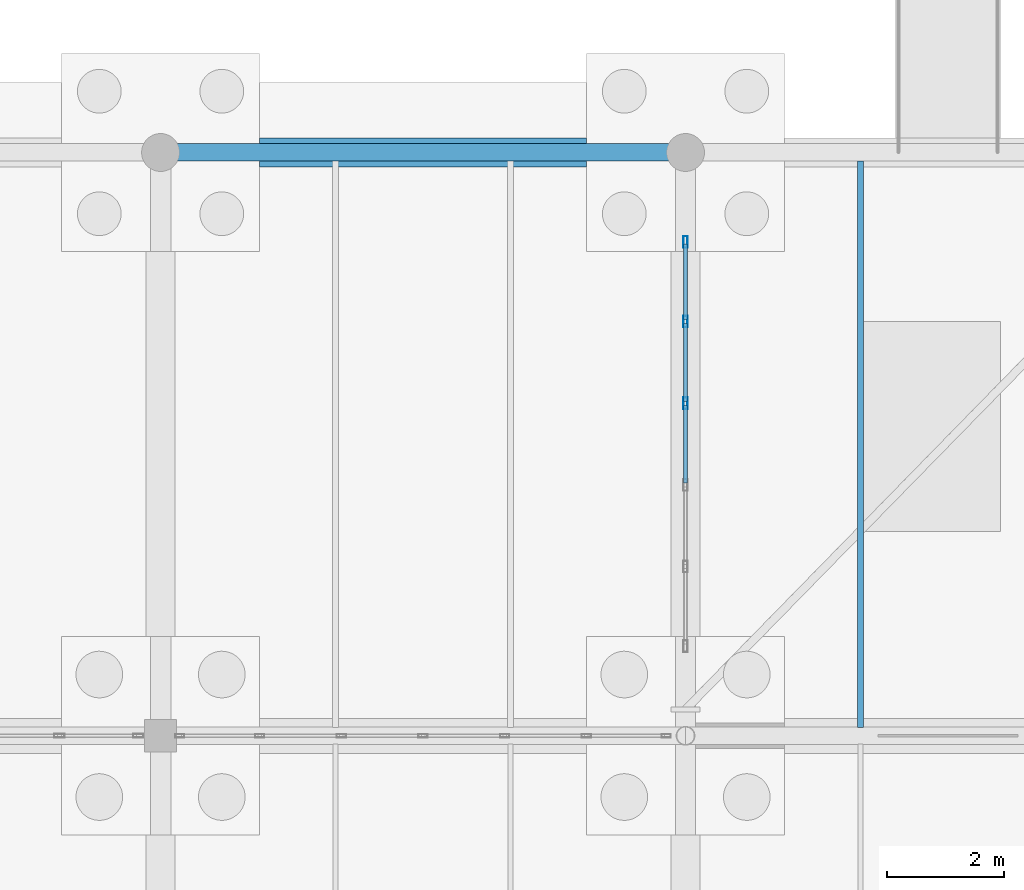
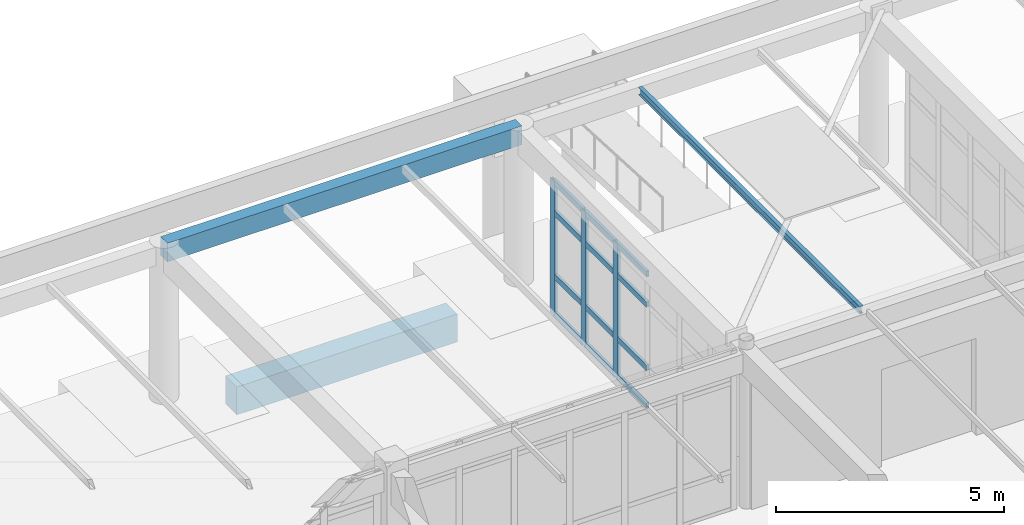
# One storey, part 77 of 186: 15 members, 3 beams, 1 element without a shape of its own.
"""IFC4 building model written with IfcOpenShell, lengths in metres."""

import ifcopenshell
import ifcopenshell.guid

model = None  # the IFC model being written
_history = None  # IfcOwnerHistory: only IFC2X3 demands one
_inside = {}  # id of a spatial element -> (the spatial element, [elements in it])
_under = {}  # id of a project, library or spatial element -> (it, [spatial elements below it])
_declared = {}  # id of a project -> (the project, [libraries it declares])
_typed = {}  # id of a type object -> (the type object, [elements of that type])
_made_of = {}  # id of a material, layer set ... -> (it, [elements and type objects made of it])


def new_model(schema):
    """Start an empty IFC model of exactly this schema.

    Asked for "IFC4X3", IfcOpenShell would pick the latest addendum, in which some entities
    have other attributes; the version numbers below select the first issue.
    IFC2X3 requires an IfcOwnerHistory on every rooted entity: one is made here for all.
    """
    global model, _history
    if schema == "IFC4X3":
        model = ifcopenshell.file(schema_version=(4, 3, 0, 0))
    else:
        model = ifcopenshell.file(schema=schema)
    _inside.clear()
    _under.clear()
    _declared.clear()
    _typed.clear()
    _made_of.clear()
    _history = None
    if model.schema == "IFC2X3":
        org = make("IfcOrganization", Name="unknown")
        user = make(
            "IfcPersonAndOrganization",
            ThePerson=make("IfcPerson", FamilyName="unknown"),
            TheOrganization=org,
        )
        app = make(
            "IfcApplication",
            ApplicationDeveloper=org,
            Version="unknown",
            ApplicationFullName="unknown",
            ApplicationIdentifier="unknown",
        )
        _history = make(
            "IfcOwnerHistory",
            OwningUser=user,
            OwningApplication=app,
            ChangeAction="ADDED",
            CreationDate=0,
        )
    return model


def make(cls, **values):
    """One entity of the class cls with the attributes given. An attribute that is None is left unset."""
    return model.create_entity(
        cls, **{name: value for name, value in values.items() if value is not None}
    )


def rooted(cls, **values):
    """An entity with a GlobalId (a new one), such as an element, a storey or a relation."""
    return make(cls, GlobalId=ifcopenshell.guid.new(), OwnerHistory=_history, **values)


def si_unit(unit_type, name, prefix=None):
    """IfcSIUnit, for example si_unit("LENGTHUNIT", "METRE", prefix="MILLI")."""
    return make("IfcSIUnit", UnitType=unit_type, Prefix=prefix, Name=name)


def assignment(units):
    """IfcUnitAssignment: the units of a project."""
    return None if units is None else make("IfcUnitAssignment", Units=units)


def point(xyz):
    """IfcCartesianPoint."""
    return None if xyz is None else make("IfcCartesianPoint", Coordinates=xyz)


def direction(xyz):
    """IfcDirection."""
    return None if xyz is None else make("IfcDirection", DirectionRatios=xyz)


def frame(location, z_axis=None, x_axis=None):
    """IfcAxis2Placement3D, a coordinate frame: its origin and axes. An axis left out is left unset."""
    return make(
        "IfcAxis2Placement3D",
        Location=point(location),
        Axis=direction(z_axis),
        RefDirection=direction(x_axis),
    )


def frame_2d(location, x_axis=None):
    """IfcAxis2Placement2D, a coordinate frame in the plane: its origin and x axis."""
    return make(
        "IfcAxis2Placement2D", Location=point(location), RefDirection=direction(x_axis)
    )


def origin():
    """The frame at (0, 0, 0) with its axes left unset."""
    return frame((0.0, 0.0, 0.0))


def origin_2d():
    """The frame at (0, 0) in the plane with its x axis left unset."""
    return frame_2d((0.0, 0.0))


def place(relative_to, where):
    """IfcLocalPlacement: puts the frame where relative to a parent placement (None: the world)."""
    return make(
        "IfcLocalPlacement", PlacementRelTo=relative_to, RelativePlacement=where
    )


def context(
    kind, dimensions, precision=None, world=None, true_north=None, identifier=None
):
    """IfcGeometricRepresentationContext, for example the 3D "Model" context."""
    return make(
        "IfcGeometricRepresentationContext",
        ContextIdentifier=identifier,
        ContextType=kind,
        CoordinateSpaceDimension=dimensions,
        Precision=precision,
        WorldCoordinateSystem=world,
        TrueNorth=true_north,
    )


def subcontext(parent, identifier, kind, view, scale=None):
    """IfcGeometricRepresentationSubContext, for example "Body" below "Model"."""
    return make(
        "IfcGeometricRepresentationSubContext",
        ContextIdentifier=identifier,
        ContextType=kind,
        ParentContext=parent,
        TargetScale=scale,
        TargetView=view,
    )


def project(units=None, contexts=None):
    """IfcProject with its units and contexts."""
    return rooted(
        "IfcProject",
        Name="project",
        RepresentationContexts=contexts,
        UnitsInContext=assignment(units),
    )


def spatial(cls, under=None, at=None, **own):
    """A site, building, storey or space (cls), placed at a placement, below another one or the project."""
    s = rooted(cls, ObjectPlacement=at, **own)
    if under is not None:
        _under.setdefault(under.id(), (under, []))[1].append(s)
    return s


def profile(cls, at=None, kind="AREA", **sizes):
    """A parametric profile (cls). Its sizes go by their IFC names, for example OverallWidth=200.0."""
    return make(cls, ProfileType=kind, Position=at, **sizes)


def rectangle(**sizes):
    """IfcRectangleProfileDef."""
    return profile("IfcRectangleProfileDef", **sizes)


def hollow_rectangle(**sizes):
    """IfcRectangleHollowProfileDef."""
    return profile("IfcRectangleHollowProfileDef", **sizes)


def i_section(**sizes):
    """IfcIShapeProfileDef."""
    return profile("IfcIShapeProfileDef", **sizes)


def extrude(swept, where, along, depth):
    """IfcExtrudedAreaSolid: the profile swept, set in the frame where, extruded along a direction by depth."""
    return make(
        "IfcExtrudedAreaSolid",
        SweptArea=swept,
        Position=where,
        ExtrudedDirection=direction(along),
        Depth=depth,
    )


def shape(context_of_items, identifier, shape_type, items):
    """IfcShapeRepresentation: the items that make up one representation, for example the "Body"."""
    return make(
        "IfcShapeRepresentation",
        ContextOfItems=context_of_items,
        RepresentationIdentifier=identifier,
        RepresentationType=shape_type,
        Items=items,
    )


def material(Name=None, Category=None):
    """IfcMaterial."""
    return make("IfcMaterial", Name=Name, Category=Category)


def layer(
    of_material, thickness, ventilated=None, Name=None, Category=None, Priority=None
):
    """IfcMaterialLayer: one layer of a wall or slab, of a material (None: an air gap)."""
    return make(
        "IfcMaterialLayer",
        Material=of_material,
        LayerThickness=thickness,
        IsVentilated=ventilated,
        Name=Name,
        Category=Category,
        Priority=Priority,
    )


def layer_set(layers, Name=None):
    """IfcMaterialLayerSet."""
    return make("IfcMaterialLayerSet", MaterialLayers=layers, LayerSetName=Name)


def material_profile(
    of_material, cross_section, Name=None, Category=None, Priority=None
):
    """IfcMaterialProfile: a cross section and its material."""
    return make(
        "IfcMaterialProfile",
        Name=Name,
        Material=of_material,
        Profile=cross_section,
        Priority=Priority,
        Category=Category,
    )


def profile_set(profiles, Name=None, composite=None):
    """IfcMaterialProfileSet."""
    return make(
        "IfcMaterialProfileSet",
        Name=Name,
        MaterialProfiles=profiles,
        CompositeProfile=composite,
    )


def made_of(thing, what):
    """Note that an element or type object is made of a material, layer set ...; save() writes the relation."""
    if what is not None:
        _made_of.setdefault(what.id(), (what, []))[1].append(thing)
    return thing


def type_object(cls, material=None, **own):
    """A type object (cls), such as IfcWallType, which elements share."""
    return made_of(rooted(cls, **own), material)


def element(
    cls,
    number,
    at=None,
    inside=None,
    cuts=None,
    type_object=None,
    material=None,
    context=None,
    identifier="Body",
    shape_type=None,
    held_by="IfcProductDefinitionShape",
    body=None,
    shapes=None,
    **own,
):
    """One element of the class cls, such as IfcWall. Its Tag is "e" and its number.

    at: its placement. inside: the storey or other place that contains it. cuts: it is an
    opening in that element (IfcRelVoidsElement). A single representation is given by context,
    identifier, shape_type and body (its items); several are given by shapes. held_by: the class
    of the entity that holds the representations. save() writes the other relations.
    """
    e = rooted(cls, Tag="e%d" % number, ObjectPlacement=at, **own)
    if body is not None:
        shapes = [shape(context, identifier, shape_type, body)]
    if shapes is not None:
        e.Representation = make(held_by, Representations=shapes)
    if inside is not None:
        _inside.setdefault(inside.id(), (inside, []))[1].append(e)
    if cuts is not None:
        rooted(
            "IfcRelVoidsElement", RelatingBuildingElement=cuts, RelatedOpeningElement=e
        )
    if type_object is not None:
        _typed.setdefault(type_object.id(), (type_object, []))[1].append(e)
    return made_of(e, material)


def aggregate(whole, parts):
    """IfcRelAggregates: a whole, such as a stair, and the parts it consists of."""
    return rooted("IfcRelAggregates", RelatingObject=whole, RelatedObjects=parts)


def save(model, path):
    """Write the relations noted so far, then the file.

    IfcRelAggregates (storeys below a building ...), IfcRelContainedInSpatialStructure (elements
    in a storey), IfcRelDefinesByType, IfcRelAssociatesMaterial and IfcRelDeclares: one each for
    every whole, place, type object, material and project.
    """
    for whole, parts in _under.values():
        aggregate(whole, parts)
    for where, things in _inside.values():
        rooted(
            "IfcRelContainedInSpatialStructure",
            RelatedElements=things,
            RelatingStructure=where,
        )
    for kind, things in _typed.values():
        rooted("IfcRelDefinesByType", RelatedObjects=things, RelatingType=kind)
    for what, things in _made_of.values():
        rooted("IfcRelAssociatesMaterial", RelatedObjects=things, RelatingMaterial=what)
    for by, libraries in _declared.values():
        rooted("IfcRelDeclares", RelatingContext=by, RelatedDefinitions=libraries)
    model.write(path)


model = new_model("IFC4")

# Units and contexts
model_context = context("Model", 3, precision=1e-05, world=origin(), true_north=direction((0.0, 1.0)))
body_context = subcontext(model_context, "Body", "Model", "MODEL_VIEW")
ifc_project = project(units=[si_unit("LENGTHUNIT", "METRE"), si_unit("AREAUNIT", "SQUARE_METRE"), si_unit("VOLUMEUNIT", "CUBIC_METRE"), si_unit("PLANEANGLEUNIT", "RADIAN"), si_unit("MASSUNIT", "GRAM", prefix="KILO")], contexts=[model_context])

# Site, building, storey
site_placement = place(None, origin())
site = spatial("IfcSite", under=ifc_project, at=site_placement, CompositionType="ELEMENT")
building_placement = place(site_placement, origin())
building = spatial("IfcBuilding", under=site, at=building_placement, Name="Ornek Quay Market", CompositionType="ELEMENT")
storey_placement = place(building_placement, origin())
storey = spatial("IfcBuildingStorey", under=building, at=storey_placement, Name="L00", CompositionType="ELEMENT", Elevation=0.0)

# Beams
ifc_material_1 = material(Name="Concrete C35/45", Category="concrete")
ifc_material_profile_1 = material_profile(ifc_material_1, rectangle(XDim=0.5, YDim=0.75, at=origin_2d()), Name="RC 500x750", Category="concrete")
ifc_profile_set_1 = profile_set([ifc_material_profile_1], Name="Concrete C35/45")
beam_type_1 = type_object("IfcBeamType", Name="BM-GB-500x750", PredefinedType="BEAM", material=ifc_profile_set_1)
beam_1_placement = place(storey_placement, frame((28.699951171875, 120.0, -0.574951171875), z_axis=(1.0, 0.0, 0.0), x_axis=(0.0, 1.0, 0.0)))
element("IfcBeam", 1, at=beam_1_placement, inside=storey, type_object=beam_type_1, Name="Ground tie beam GB-051", PredefinedType="BEAM", context=body_context, shape_type="SweptSolid", body=[
    extrude(rectangle(XDim=0.5, YDim=0.75, at=origin_2d()), origin(), (0.0, 0.0, 1.0), 5.60009765625),
])
ifc_material_2 = material(Name="Steel S355", Category="steel")
ifc_material_profile_2 = material_profile(ifc_material_2, i_section(OverallWidth=0.10009765625, OverallDepth=0.199951171875, WebThickness=0.005615234375, FlangeThickness=0.008544921875, FilletRadius=0.011962890625, at=origin_2d()), Name="IPE 200", Category="steel")
ifc_profile_set_2 = profile_set([ifc_material_profile_2], Name="Steel S355")
beam_type_2 = type_object("IfcBeamType", Name="BM-STL-IPE200", PredefinedType="JOIST", material=ifc_profile_set_2)
beam_2_placement = place(storey_placement, frame((39.0, 110.14208984375, 4.090087890625), z_axis=(0.0, 1.0, 0.0), x_axis=(-1.0, 0.0, 0.0)))
element("IfcBeam", 2, at=beam_2_placement, inside=storey, type_object=beam_type_2, Name="Secondary joist SB-02-003", PredefinedType="JOIST", context=body_context, shape_type="SweptSolid", body=[
    extrude(i_section(OverallWidth=0.10009765625, OverallDepth=0.199951171875, WebThickness=0.005615234375, FlangeThickness=0.008544921875, FilletRadius=0.011962890625, at=origin_2d()), origin(), (0.0, 0.0, 1.0), 9.7158203125),
])
ifc_material_3 = material(Name="Concrete C40/50", Category="concrete")
ifc_material_profile_3 = material_profile(ifc_material_3, rectangle(XDim=0.300048828125, YDim=0.5, at=origin_2d()), Name="RC 300x500", Category="concrete")
ifc_profile_set_3 = profile_set([ifc_material_profile_3], Name="Concrete C40/50")
beam_type_3 = type_object("IfcBeamType", Name="BM-UMB-RIM-300x500", PredefinedType="SPANDREL", material=ifc_profile_set_3)
beam_3_placement = place(storey_placement, frame((27.0, 120.0, 3.93994140625), z_axis=(1.0, 0.0, 0.0), x_axis=(0.0, 1.0, 0.0)))
element("IfcBeam", 3, at=beam_3_placement, inside=storey, type_object=beam_type_3, Name="Primary beam B-UMR-010", PredefinedType="SPANDREL", context=body_context, shape_type="SweptSolid", body=[
    extrude(rectangle(XDim=0.300048828125, YDim=0.5, at=origin_2d()), origin(), (0.0, 0.0, 1.0), 9.0),
])

# Curtain wall, members
ifc_material_4 = material(Name="Anodised bronze aluminium and triple low-e glass", Category="aluminium")
ifc_layer = layer(ifc_material_4, 0.219970703125, Name="Anodised bronze aluminium and triple low-e glass", Category="aluminium")
ifc_layer_set = layer_set([ifc_layer], Name="Anodised bronze aluminium and triple low-e glass")
curtain_wall_type = type_object("IfcCurtainWallType", Name="CW-PORCH-MOD1500", PredefinedType="USERDEFINED", material=ifc_layer_set)
curtain_wall_placement = place(storey_placement, origin())
curtain_wall = element("IfcCurtainWall", 4, at=curtain_wall_placement, inside=storey, type_object=curtain_wall_type, Name="Curtain wall CW-149", ObjectType="CURTAIN WALL", PredefinedType="USERDEFINED")
ifc_material_5 = material(Name="Anodised aluminium 6063-T6", Category="aluminium")
ifc_material_profile_4 = material_profile(ifc_material_5, hollow_rectangle(XDim=0.070068359375, YDim=0.199951171875, WallThickness=0.0048828125, at=origin_2d()), Name="CW-MUL-70x200", Category="aluminium")
ifc_profile_set_4 = profile_set([ifc_material_profile_4], Name="Anodised aluminium 6063-T6")
member_type_1 = type_object("IfcMemberType", Name="CW-MUL-70x200", PredefinedType="MULLION", material=ifc_profile_set_4)
member_1_placement = place(storey_placement, frame((36.0, 115.699951171875, 0.0), z_axis=(0.0, 0.0, 1.0), x_axis=(-1.0, 0.0, 0.0)))
member_1 = element("IfcMember", 5, at=member_1_placement, type_object=member_type_1, Name="CW-149 mullion 4", PredefinedType="MULLION", context=body_context, shape_type="SweptSolid", body=[
    extrude(hollow_rectangle(XDim=0.070068359375, YDim=0.199951171875, WallThickness=0.0048828125, at=origin_2d()), origin(), (0.0, 0.0, 1.0), 3.60009765625),
])
member_2_placement = place(storey_placement, frame((36.0, 117.10009765625, 0.0), z_axis=(0.0, 0.0, 1.0), x_axis=(-1.0, 0.0, 0.0)))
member_2 = element("IfcMember", 6, at=member_2_placement, type_object=member_type_1, Name="CW-149 mullion 5", PredefinedType="MULLION", context=body_context, shape_type="SweptSolid", body=[
    extrude(hollow_rectangle(XDim=0.070068359375, YDim=0.199951171875, WallThickness=0.0048828125, at=origin_2d()), origin(), (0.0, 0.0, 1.0), 3.60009765625),
])
member_3_placement = place(storey_placement, frame((36.0, 118.465087890625, 0.0), z_axis=(0.0, 0.0, 1.0), x_axis=(-1.0, 0.0, 0.0)))
member_3 = element("IfcMember", 7, at=member_3_placement, type_object=member_type_1, Name="CW-149 mullion 6", PredefinedType="MULLION", context=body_context, shape_type="SweptSolid", body=[
    extrude(hollow_rectangle(XDim=0.070068359375, YDim=0.199951171875, WallThickness=0.0048828125, at=origin_2d()), origin(), (0.0, 0.0, 1.0), 3.60009765625),
])
ifc_material_profile_5 = material_profile(ifc_material_5, hollow_rectangle(XDim=0.070068359375, YDim=0.14990234375, WallThickness=0.0048828125, at=origin_2d()), Name="CW-TRN-70x150", Category="aluminium")
ifc_profile_set_5 = profile_set([ifc_material_profile_5], Name="Anodised aluminium 6063-T6")
member_type_2 = type_object("IfcMemberType", Name="CW-TRN-70x150", PredefinedType="USERDEFINED", material=ifc_profile_set_5)
member_4_placement = place(storey_placement, frame((36.0, 114.3349609375, 0.034912109375), z_axis=(0.0, 1.0, 0.0), x_axis=(-1.0, 0.0, 0.0)))
member_4 = element("IfcMember", 8, at=member_4_placement, type_object=member_type_2, Name="CW-149 transom 3.1", ObjectType="TRANSOM", PredefinedType="USERDEFINED", context=body_context, shape_type="SweptSolid", body=[
    extrude(hollow_rectangle(XDim=0.070068359375, YDim=0.14990234375, WallThickness=0.0048828125, at=origin_2d()), origin(), (0.0, 0.0, 1.0), 1.330078125),
])
member_5_placement = place(storey_placement, frame((36.0, 114.3349609375, 1.050048828125), z_axis=(0.0, 1.0, 0.0), x_axis=(-1.0, 0.0, 0.0)))
member_5 = element("IfcMember", 9, at=member_5_placement, type_object=member_type_2, Name="CW-149 transom 3.2", ObjectType="TRANSOM", PredefinedType="USERDEFINED", context=body_context, shape_type="SweptSolid", body=[
    extrude(hollow_rectangle(XDim=0.070068359375, YDim=0.14990234375, WallThickness=0.0048828125, at=origin_2d()), origin(), (0.0, 0.0, 1.0), 1.330078125),
])
member_6_placement = place(storey_placement, frame((36.0, 114.3349609375, 2.75), z_axis=(0.0, 1.0, 0.0), x_axis=(-1.0, 0.0, 0.0)))
member_6 = element("IfcMember", 10, at=member_6_placement, type_object=member_type_2, Name="CW-149 transom 3.3", ObjectType="TRANSOM", PredefinedType="USERDEFINED", context=body_context, shape_type="SweptSolid", body=[
    extrude(hollow_rectangle(XDim=0.070068359375, YDim=0.14990234375, WallThickness=0.0048828125, at=origin_2d()), origin(), (0.0, 0.0, 1.0), 1.330078125),
])
member_7_placement = place(storey_placement, frame((36.0, 114.3349609375, 3.56494140625), z_axis=(0.0, 1.0, 0.0), x_axis=(-1.0, 0.0, 0.0)))
member_7 = element("IfcMember", 11, at=member_7_placement, type_object=member_type_2, Name="CW-149 transom 3.4", ObjectType="TRANSOM", PredefinedType="USERDEFINED", context=body_context, shape_type="SweptSolid", body=[
    extrude(hollow_rectangle(XDim=0.070068359375, YDim=0.14990234375, WallThickness=0.0048828125, at=origin_2d()), origin(), (0.0, 0.0, 1.0), 1.330078125),
])
member_8_placement = place(storey_placement, frame((36.0, 115.735107421875, 0.034912109375), z_axis=(0.0, 1.0, 0.0), x_axis=(-1.0, 0.0, 0.0)))
member_8 = element("IfcMember", 12, at=member_8_placement, type_object=member_type_2, Name="CW-149 transom 4.1", ObjectType="TRANSOM", PredefinedType="USERDEFINED", context=body_context, shape_type="SweptSolid", body=[
    extrude(hollow_rectangle(XDim=0.070068359375, YDim=0.14990234375, WallThickness=0.0048828125, at=origin_2d()), origin(), (0.0, 0.0, 1.0), 1.329833984375),
])
member_9_placement = place(storey_placement, frame((36.0, 115.735107421875, 1.050048828125), z_axis=(0.0, 1.0, 0.0), x_axis=(-1.0, 0.0, 0.0)))
member_9 = element("IfcMember", 13, at=member_9_placement, type_object=member_type_2, Name="CW-149 transom 4.2", ObjectType="TRANSOM", PredefinedType="USERDEFINED", context=body_context, shape_type="SweptSolid", body=[
    extrude(hollow_rectangle(XDim=0.070068359375, YDim=0.14990234375, WallThickness=0.0048828125, at=origin_2d()), origin(), (0.0, 0.0, 1.0), 1.329833984375),
])
member_10_placement = place(storey_placement, frame((36.0, 115.735107421875, 2.75), z_axis=(0.0, 1.0, 0.0), x_axis=(-1.0, 0.0, 0.0)))
member_10 = element("IfcMember", 14, at=member_10_placement, type_object=member_type_2, Name="CW-149 transom 4.3", ObjectType="TRANSOM", PredefinedType="USERDEFINED", context=body_context, shape_type="SweptSolid", body=[
    extrude(hollow_rectangle(XDim=0.070068359375, YDim=0.14990234375, WallThickness=0.0048828125, at=origin_2d()), origin(), (0.0, 0.0, 1.0), 1.329833984375),
])
member_11_placement = place(storey_placement, frame((36.0, 115.735107421875, 3.56494140625), z_axis=(0.0, 1.0, 0.0), x_axis=(-1.0, 0.0, 0.0)))
member_11 = element("IfcMember", 15, at=member_11_placement, type_object=member_type_2, Name="CW-149 transom 4.4", ObjectType="TRANSOM", PredefinedType="USERDEFINED", context=body_context, shape_type="SweptSolid", body=[
    extrude(hollow_rectangle(XDim=0.070068359375, YDim=0.14990234375, WallThickness=0.0048828125, at=origin_2d()), origin(), (0.0, 0.0, 1.0), 1.329833984375),
])
member_12_placement = place(storey_placement, frame((36.0, 117.135009765625, 0.034912109375), z_axis=(0.0, 1.0, 0.0), x_axis=(-1.0, 0.0, 0.0)))
member_12 = element("IfcMember", 16, at=member_12_placement, type_object=member_type_2, Name="CW-149 transom 5.1", ObjectType="TRANSOM", PredefinedType="USERDEFINED", context=body_context, shape_type="SweptSolid", body=[
    extrude(hollow_rectangle(XDim=0.070068359375, YDim=0.14990234375, WallThickness=0.0048828125, at=origin_2d()), origin(), (0.0, 0.0, 1.0), 1.294921875),
])
member_13_placement = place(storey_placement, frame((36.0, 117.135009765625, 1.050048828125), z_axis=(0.0, 1.0, 0.0), x_axis=(-1.0, 0.0, 0.0)))
member_13 = element("IfcMember", 17, at=member_13_placement, type_object=member_type_2, Name="CW-149 transom 5.2", ObjectType="TRANSOM", PredefinedType="USERDEFINED", context=body_context, shape_type="SweptSolid", body=[
    extrude(hollow_rectangle(XDim=0.070068359375, YDim=0.14990234375, WallThickness=0.0048828125, at=origin_2d()), origin(), (0.0, 0.0, 1.0), 1.294921875),
])
member_14_placement = place(storey_placement, frame((36.0, 117.135009765625, 2.75), z_axis=(0.0, 1.0, 0.0), x_axis=(-1.0, 0.0, 0.0)))
member_14 = element("IfcMember", 18, at=member_14_placement, type_object=member_type_2, Name="CW-149 transom 5.3", ObjectType="TRANSOM", PredefinedType="USERDEFINED", context=body_context, shape_type="SweptSolid", body=[
    extrude(hollow_rectangle(XDim=0.070068359375, YDim=0.14990234375, WallThickness=0.0048828125, at=origin_2d()), origin(), (0.0, 0.0, 1.0), 1.294921875),
])
member_15_placement = place(storey_placement, frame((36.0, 117.135009765625, 3.56494140625), z_axis=(0.0, 1.0, 0.0), x_axis=(-1.0, 0.0, 0.0)))
member_15 = element("IfcMember", 19, at=member_15_placement, type_object=member_type_2, Name="CW-149 transom 5.4", ObjectType="TRANSOM", PredefinedType="USERDEFINED", context=body_context, shape_type="SweptSolid", body=[
    extrude(hollow_rectangle(XDim=0.070068359375, YDim=0.14990234375, WallThickness=0.0048828125, at=origin_2d()), origin(), (0.0, 0.0, 1.0), 1.294921875),
])
aggregate(curtain_wall, [member_1, member_2, member_3, member_4, member_5, member_6, member_7, member_8, member_9, member_10, member_11, member_12, member_13, member_14, member_15])

save(model, "model.ifc")
